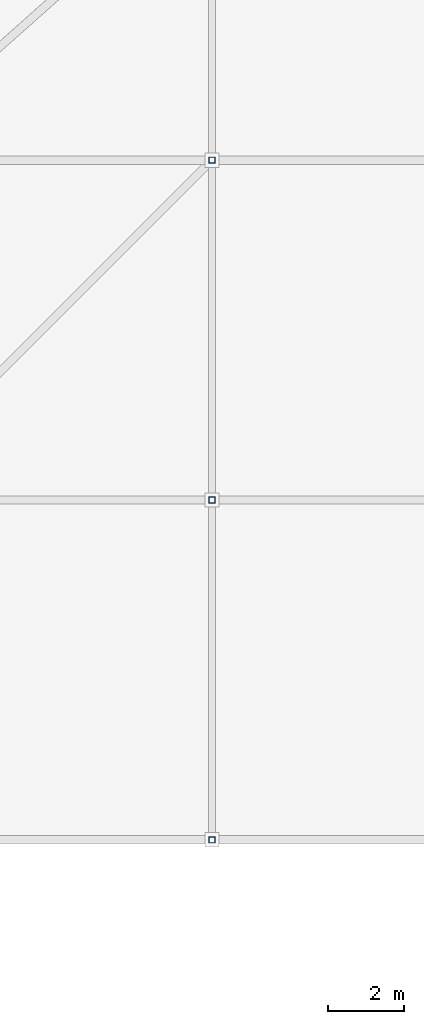
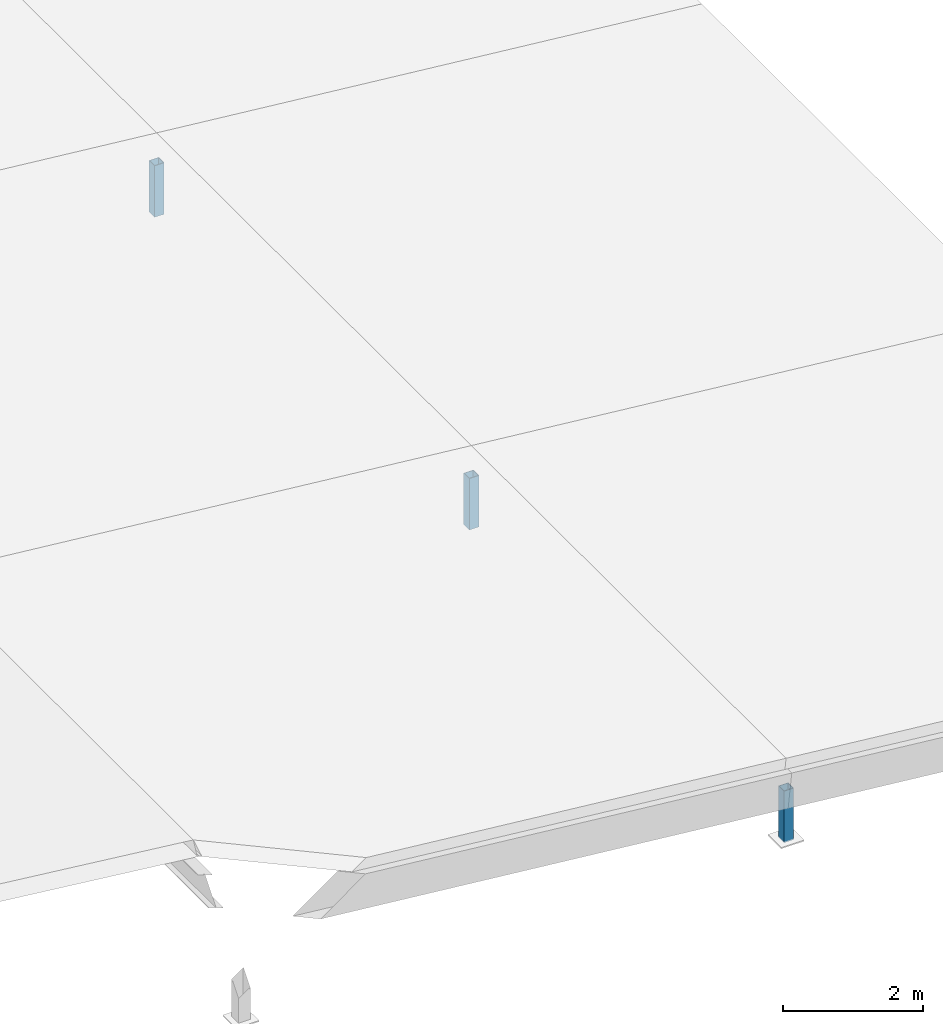
# One storey, part 19 of 93: 3 columns.
"""IFC4 building model written with IfcOpenShell, lengths in metres."""

from ifc_helpers import new_model, si_unit, direction, frame, origin, origin_2d, place, context, subcontext, project, spatial, hollow_rectangle, extrude, material, material_profile, profile_set, type_object, element, save


model = new_model("IFC4")

# Units and contexts
model_context = context("Model", 3, precision=1e-05, world=origin(), true_north=direction((0.0, 1.0)))
body_context = subcontext(model_context, "Body", "Model", "MODEL_VIEW")
ifc_project = project(units=[si_unit("LENGTHUNIT", "METRE"), si_unit("AREAUNIT", "SQUARE_METRE"), si_unit("VOLUMEUNIT", "CUBIC_METRE"), si_unit("PLANEANGLEUNIT", "RADIAN"), si_unit("MASSUNIT", "GRAM", prefix="KILO")], contexts=[model_context])

# Site, building, storey
site_placement = place(None, origin())
site = spatial("IfcSite", under=ifc_project, at=site_placement, CompositionType="ELEMENT")
building_placement = place(site_placement, origin())
building = spatial("IfcBuilding", under=site, at=building_placement, Name="Vourika Railside Aquatics Centre", CompositionType="ELEMENT")
storey_placement = place(building_placement, frame((0.0, 0.0, 21.89990234375)))
storey = spatial("IfcBuildingStorey", under=building, at=storey_placement, Name="Roof", CompositionType="ELEMENT", Elevation=21.89990234375)

# Columns
ifc_material = material(Name="Steel S355J2", Category="steel")
ifc_material_profile = material_profile(ifc_material, hollow_rectangle(XDim=0.159912109375, YDim=0.159912109375, WallThickness=0.008056640625, at=origin_2d()), Name="SHS 160x160x8")
ifc_profile_set = profile_set([ifc_material_profile], Name="Steel S355J2")
column_type = type_object("IfcColumnType", Name="COL-STL-SHS160", PredefinedType="COLUMN", material=ifc_profile_set)
for number, where, z_axis, x_axis, name in (
    (1, (159.0, 40.0, -8.39990234375), (0.0, 0.0, 1.0), (1.0, 0.0, 0.0), "Foyer Canopy Ridge Post (159,40)"),
    (2, (159.0, 49.0, -8.39990234375), (0.0, 0.0, 1.0), (1.0, 0.0, 0.0), "Foyer Canopy Ridge Post (159,49)"),
    (3, (159.0, 58.0, -8.39990234375), (0.0, 0.0, 1.0), (1.0, 0.0, 0.0), "Foyer Canopy Ridge Post (159,58)"),
):
    element("IfcColumn", number, at=place(storey_placement, frame(where, z_axis=z_axis, x_axis=x_axis)), inside=storey, type_object=column_type, Name=name, PredefinedType="COLUMN", context=body_context, shape_type="SweptSolid", body=[
        extrude(hollow_rectangle(XDim=0.159912109375, YDim=0.159912109375, WallThickness=0.008056640625, at=origin_2d()), origin(), (0.0, 0.0, 1.0), 0.89990234375),
    ])

save(model, "model.ifc")
